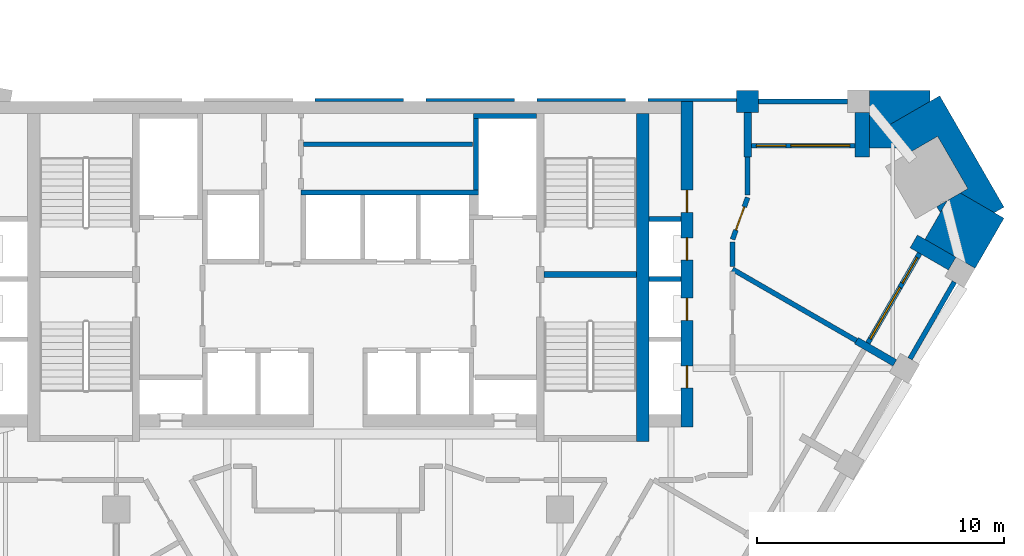
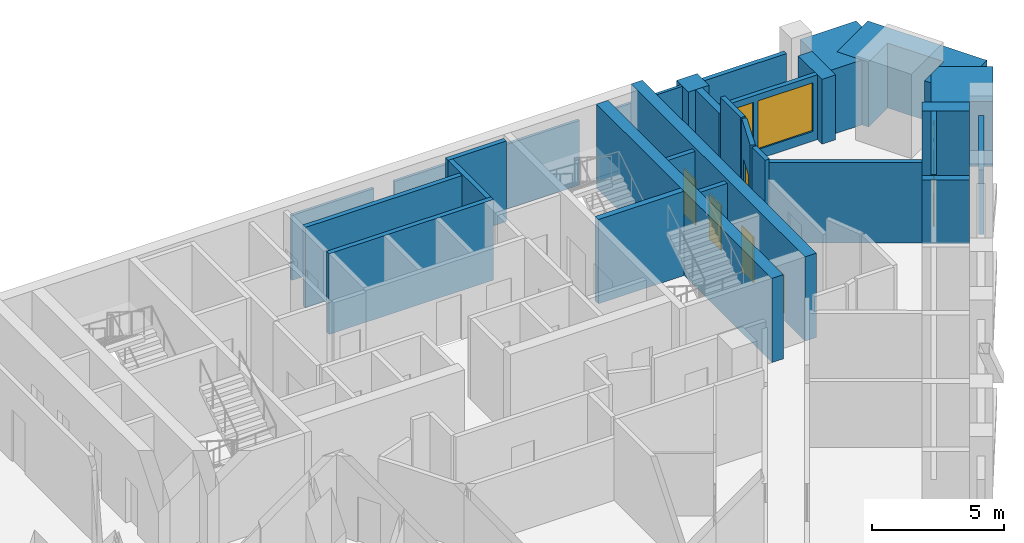
# One storey, part 7 of 9: 30 walls, 7 doors, 2 windows, 9 openings.
"""IFC4 building model written with IfcOpenShell, lengths in metres."""

import ifcopenshell
import ifcopenshell.guid

model = None  # the IFC model being written
_history = None  # IfcOwnerHistory: only IFC2X3 demands one
_inside = {}  # id of a spatial element -> (the spatial element, [elements in it])
_under = {}  # id of a project, library or spatial element -> (it, [spatial elements below it])
_declared = {}  # id of a project -> (the project, [libraries it declares])
_typed = {}  # id of a type object -> (the type object, [elements of that type])
_made_of = {}  # id of a material, layer set ... -> (it, [elements and type objects made of it])


def new_model(schema):
    """Start an empty IFC model of exactly this schema.

    Asked for "IFC4X3", IfcOpenShell would pick the latest addendum, in which some entities
    have other attributes; the version numbers below select the first issue.
    IFC2X3 requires an IfcOwnerHistory on every rooted entity: one is made here for all.
    """
    global model, _history
    if schema == "IFC4X3":
        model = ifcopenshell.file(schema_version=(4, 3, 0, 0))
    else:
        model = ifcopenshell.file(schema=schema)
    _inside.clear()
    _under.clear()
    _declared.clear()
    _typed.clear()
    _made_of.clear()
    _history = None
    if model.schema == "IFC2X3":
        org = make("IfcOrganization", Name="unknown")
        user = make(
            "IfcPersonAndOrganization",
            ThePerson=make("IfcPerson", FamilyName="unknown"),
            TheOrganization=org,
        )
        app = make(
            "IfcApplication",
            ApplicationDeveloper=org,
            Version="unknown",
            ApplicationFullName="unknown",
            ApplicationIdentifier="unknown",
        )
        _history = make(
            "IfcOwnerHistory",
            OwningUser=user,
            OwningApplication=app,
            ChangeAction="ADDED",
            CreationDate=0,
        )
    return model


def make(cls, **values):
    """One entity of the class cls with the attributes given. An attribute that is None is left unset."""
    return model.create_entity(
        cls, **{name: value for name, value in values.items() if value is not None}
    )


def rooted(cls, **values):
    """An entity with a GlobalId (a new one), such as an element, a storey or a relation."""
    return make(cls, GlobalId=ifcopenshell.guid.new(), OwnerHistory=_history, **values)


def si_unit(unit_type, name, prefix=None):
    """IfcSIUnit, for example si_unit("LENGTHUNIT", "METRE", prefix="MILLI")."""
    return make("IfcSIUnit", UnitType=unit_type, Prefix=prefix, Name=name)


def assignment(units):
    """IfcUnitAssignment: the units of a project."""
    return None if units is None else make("IfcUnitAssignment", Units=units)


def point(xyz):
    """IfcCartesianPoint."""
    return None if xyz is None else make("IfcCartesianPoint", Coordinates=xyz)


def direction(xyz):
    """IfcDirection."""
    return None if xyz is None else make("IfcDirection", DirectionRatios=xyz)


def frame(location, z_axis=None, x_axis=None):
    """IfcAxis2Placement3D, a coordinate frame: its origin and axes. An axis left out is left unset."""
    return make(
        "IfcAxis2Placement3D",
        Location=point(location),
        Axis=direction(z_axis),
        RefDirection=direction(x_axis),
    )


def frame_2d(location, x_axis=None):
    """IfcAxis2Placement2D, a coordinate frame in the plane: its origin and x axis."""
    return make(
        "IfcAxis2Placement2D", Location=point(location), RefDirection=direction(x_axis)
    )


def origin():
    """The frame at (0, 0, 0) with its axes left unset."""
    return frame((0.0, 0.0, 0.0))


def place(relative_to, where):
    """IfcLocalPlacement: puts the frame where relative to a parent placement (None: the world)."""
    return make(
        "IfcLocalPlacement", PlacementRelTo=relative_to, RelativePlacement=where
    )


def context(
    kind, dimensions, precision=None, world=None, true_north=None, identifier=None
):
    """IfcGeometricRepresentationContext, for example the 3D "Model" context."""
    return make(
        "IfcGeometricRepresentationContext",
        ContextIdentifier=identifier,
        ContextType=kind,
        CoordinateSpaceDimension=dimensions,
        Precision=precision,
        WorldCoordinateSystem=world,
        TrueNorth=true_north,
    )


def subcontext(parent, identifier, kind, view, scale=None):
    """IfcGeometricRepresentationSubContext, for example "Body" below "Model"."""
    return make(
        "IfcGeometricRepresentationSubContext",
        ContextIdentifier=identifier,
        ContextType=kind,
        ParentContext=parent,
        TargetScale=scale,
        TargetView=view,
    )


def project(units=None, contexts=None):
    """IfcProject with its units and contexts."""
    return rooted(
        "IfcProject",
        Name="project",
        RepresentationContexts=contexts,
        UnitsInContext=assignment(units),
    )


def spatial(cls, under=None, at=None, **own):
    """A site, building, storey or space (cls), placed at a placement, below another one or the project."""
    s = rooted(cls, ObjectPlacement=at, **own)
    if under is not None:
        _under.setdefault(under.id(), (under, []))[1].append(s)
    return s


def polyline(points):
    """IfcPolyline through the points."""
    return make("IfcPolyline", Points=[point(p) for p in points])


def profile(cls, at=None, kind="AREA", **sizes):
    """A parametric profile (cls). Its sizes go by their IFC names, for example OverallWidth=200.0."""
    return make(cls, ProfileType=kind, Position=at, **sizes)


def rectangle(**sizes):
    """IfcRectangleProfileDef."""
    return profile("IfcRectangleProfileDef", **sizes)


def outline(outer, holes=None, kind="AREA"):
    """IfcArbitraryClosedProfileDef: a profile drawn as a closed curve; with holes, ...WithVoids."""
    if holes is None:
        return make("IfcArbitraryClosedProfileDef", ProfileType=kind, OuterCurve=outer)
    return make(
        "IfcArbitraryProfileDefWithVoids",
        ProfileType=kind,
        OuterCurve=outer,
        InnerCurves=holes,
    )


def extrude(swept, where, along, depth):
    """IfcExtrudedAreaSolid: the profile swept, set in the frame where, extruded along a direction by depth."""
    return make(
        "IfcExtrudedAreaSolid",
        SweptArea=swept,
        Position=where,
        ExtrudedDirection=direction(along),
        Depth=depth,
    )


def shape(context_of_items, identifier, shape_type, items):
    """IfcShapeRepresentation: the items that make up one representation, for example the "Body"."""
    return make(
        "IfcShapeRepresentation",
        ContextOfItems=context_of_items,
        RepresentationIdentifier=identifier,
        RepresentationType=shape_type,
        Items=items,
    )


def material(Name=None, Category=None):
    """IfcMaterial."""
    return make("IfcMaterial", Name=Name, Category=Category)


def layer(
    of_material, thickness, ventilated=None, Name=None, Category=None, Priority=None
):
    """IfcMaterialLayer: one layer of a wall or slab, of a material (None: an air gap)."""
    return make(
        "IfcMaterialLayer",
        Material=of_material,
        LayerThickness=thickness,
        IsVentilated=ventilated,
        Name=Name,
        Category=Category,
        Priority=Priority,
    )


def layer_set(layers, Name=None):
    """IfcMaterialLayerSet."""
    return make("IfcMaterialLayerSet", MaterialLayers=layers, LayerSetName=Name)


def made_of(thing, what):
    """Note that an element or type object is made of a material, layer set ...; save() writes the relation."""
    if what is not None:
        _made_of.setdefault(what.id(), (what, []))[1].append(thing)
    return thing


def type_object(cls, material=None, **own):
    """A type object (cls), such as IfcWallType, which elements share."""
    return made_of(rooted(cls, **own), material)


def element(
    cls,
    number,
    at=None,
    inside=None,
    cuts=None,
    type_object=None,
    material=None,
    context=None,
    identifier="Body",
    shape_type=None,
    held_by="IfcProductDefinitionShape",
    body=None,
    shapes=None,
    **own,
):
    """One element of the class cls, such as IfcWall. Its Tag is "e" and its number.

    at: its placement. inside: the storey or other place that contains it. cuts: it is an
    opening in that element (IfcRelVoidsElement). A single representation is given by context,
    identifier, shape_type and body (its items); several are given by shapes. held_by: the class
    of the entity that holds the representations. save() writes the other relations.
    """
    e = rooted(cls, Tag="e%d" % number, ObjectPlacement=at, **own)
    if body is not None:
        shapes = [shape(context, identifier, shape_type, body)]
    if shapes is not None:
        e.Representation = make(held_by, Representations=shapes)
    if inside is not None:
        _inside.setdefault(inside.id(), (inside, []))[1].append(e)
    if cuts is not None:
        rooted(
            "IfcRelVoidsElement", RelatingBuildingElement=cuts, RelatedOpeningElement=e
        )
    if type_object is not None:
        _typed.setdefault(type_object.id(), (type_object, []))[1].append(e)
    return made_of(e, material)


def fill(opening, filler):
    """IfcRelFillsElement: the door or window that sits in an opening."""
    return rooted(
        "IfcRelFillsElement",
        RelatingOpeningElement=opening,
        RelatedBuildingElement=filler,
    )


def aggregate(whole, parts):
    """IfcRelAggregates: a whole, such as a stair, and the parts it consists of."""
    return rooted("IfcRelAggregates", RelatingObject=whole, RelatedObjects=parts)


def save(model, path):
    """Write the relations noted so far, then the file.

    IfcRelAggregates (storeys below a building ...), IfcRelContainedInSpatialStructure (elements
    in a storey), IfcRelDefinesByType, IfcRelAssociatesMaterial and IfcRelDeclares: one each for
    every whole, place, type object, material and project.
    """
    for whole, parts in _under.values():
        aggregate(whole, parts)
    for where, things in _inside.values():
        rooted(
            "IfcRelContainedInSpatialStructure",
            RelatedElements=things,
            RelatingStructure=where,
        )
    for kind, things in _typed.values():
        rooted("IfcRelDefinesByType", RelatedObjects=things, RelatingType=kind)
    for what, things in _made_of.values():
        rooted("IfcRelAssociatesMaterial", RelatedObjects=things, RelatingMaterial=what)
    for by, libraries in _declared.values():
        rooted("IfcRelDeclares", RelatingContext=by, RelatedDefinitions=libraries)
    model.write(path)


model = new_model("IFC4")

# Units and contexts
model_context = context("Model", 3, precision=1e-05, world=origin(), true_north=direction((0.0, 1.0)))
body_context = subcontext(model_context, "Body", "Model", "MODEL_VIEW")
ifc_project = project(units=[si_unit("LENGTHUNIT", "METRE"), si_unit("AREAUNIT", "SQUARE_METRE"), si_unit("VOLUMEUNIT", "CUBIC_METRE"), si_unit("PLANEANGLEUNIT", "RADIAN"), si_unit("MASSUNIT", "GRAM", prefix="KILO")], contexts=[model_context])

# Site, building, storey
site_placement = place(None, origin())
site = spatial("IfcSite", under=ifc_project, at=site_placement, CompositionType="ELEMENT")
building_placement = place(site_placement, origin())
building = spatial("IfcBuilding", under=site, at=building_placement, Name="Calabash Gate Tower", CompositionType="ELEMENT")
storey_placement = place(building_placement, frame((0.0, 0.0, 212.0)))
storey = spatial("IfcBuildingStorey", under=building, at=storey_placement, Name="L50", CompositionType="ELEMENT", Elevation=212.0)

# Walls
ifc_material_1 = material(Name="Terracotta brick masonry, exposed face", Category="masonry")
ifc_layer_1 = layer(ifc_material_1, 2.35009765625)
ifc_layer_set_1 = layer_set([ifc_layer_1], Name="Brick corner mass wall 2350")
wall_type_1 = type_object("IfcWallType", Name="Brick corner mass wall 2350", PredefinedType="SOLIDWALL", material=ifc_layer_set_1)
wall_1_placement = place(storey_placement, origin())
element("IfcWall", 1, at=wall_1_placement, inside=storey, type_object=wall_type_1, Name="Brick corner pier S14 3a", PredefinedType="SOLIDWALL", context=body_context, shape_type="SweptSolid", body=[
    extrude(outline(polyline([(23.80224609375, 13.456298828125), (25.05810546875, 12.731201171875), (25.058349609375, 12.731689453125), (25.837646484375, 12.28173828125), (27.009521484375, 14.311767578125), (25.237548828125, 15.334716796875), (24.711181640625, 15.03076171875), (23.80224609375, 13.456298828125)])), origin(), (0.0, 0.0, 1.0), 3.0),
])
wall_2_placement = place(storey_placement, origin())
element("IfcWall", 2, at=wall_2_placement, inside=storey, type_object=wall_type_1, Name="Brick corner pier S14 3ba", PredefinedType="SOLIDWALL", context=body_context, shape_type="SweptSolid", body=[
    extrude(outline(polyline([(24.426025390625, 14.53662109375), (24.711181640625, 15.03076171875), (24.283203125, 14.78369140625), (24.426025390625, 14.53662109375)])), origin(), (0.0, 0.0, 1.0), 3.0),
])
wall_3_placement = place(storey_placement, origin())
element("IfcWall", 3, at=wall_3_placement, inside=storey, type_object=wall_type_1, Name="Brick corner pier S14 3bb", PredefinedType="SOLIDWALL", context=body_context, shape_type="SweptSolid", body=[
    extrude(outline(polyline([(24.3173828125, 17.63232421875), (25.54248046875, 15.510498046875), (25.237548828125, 15.334716796875), (26.619873046875, 14.53662109375), (27.009521484375, 14.76171875), (24.40234375, 19.277587890625), (22.3671875, 18.1025390625), (23.058349609375, 16.905517578125), (24.3173828125, 17.63232421875)])), origin(), (0.0, 0.0, 1.0), 3.0),
])
wall_4_placement = place(storey_placement, origin())
element("IfcWall", 4, at=wall_4_placement, inside=storey, type_object=wall_type_1, Name="Brick corner pier S14 3c", PredefinedType="SOLIDWALL", context=body_context, shape_type="SweptSolid", body=[
    extrude(outline(polyline([(21.560791015625, 18.60302734375), (21.560791015625, 17.152587890625), (22.91552734375, 17.152587890625), (22.3671875, 18.1025390625), (24.0126953125, 19.052490234375), (24.0126953125, 19.50244140625), (21.56103515625, 19.50244140625), (21.56103515625, 18.60302734375), (21.560791015625, 18.60302734375)])), origin(), (0.0, 0.0, 1.0), 3.0),
])
ifc_material_2 = material(Name="Terracotta brick masonry, exposed face", Category="masonry")
ifc_layer_2 = layer(ifc_material_2, 0.89990234375)
ifc_layer_set_2 = layer_set([ifc_layer_2], Name="Brick end wall 900")
wall_type_2 = type_object("IfcWallType", Name="Brick end wall 900", PredefinedType="SOLIDWALL", material=ifc_layer_set_2)
wall_5_placement = place(storey_placement, origin())
element("IfcWall", 5, at=wall_5_placement, inside=storey, type_object=wall_type_2, Name="Brick pier S14 N4.1", PredefinedType="SOLIDWALL", context=body_context, shape_type="SweptSolid", body=[
    extrude(outline(polyline([(17.060791015625, 19.50244140625), (16.160888671875, 19.50244140625), (16.160888671875, 18.6025390625), (17.060791015625, 18.6025390625), (17.060791015625, 19.50244140625)])), origin(), (0.0, 0.0, 1.0), 3.0),
])
ifc_material_3 = material(Name="Terracotta brick masonry, exposed face", Category="masonry")
ifc_layer_3 = layer(ifc_material_3, 0.300048828125)
ifc_layer_set_3 = layer_set([ifc_layer_3], Name="Brick loggia cheek wall 300")
wall_type_3 = type_object("IfcWallType", Name="Brick loggia cheek wall 300", PredefinedType="SOLIDWALL", material=ifc_layer_set_3)
wall_6_placement = place(storey_placement, frame((21.02392578125, 9.344482421875, 0.0), z_axis=(0.0, 0.0, 1.0), x_axis=(0.865989075817, -0.500062916607, 0.0)))
element("IfcWall", 6, at=wall_6_placement, inside=storey, type_object=wall_type_3, Name="Loggia cheek S14 SE2.8", PredefinedType="SOLIDWALL", context=body_context, shape_type="SweptSolid", body=[
    extrude(rectangle(XDim=1.800048828125, YDim=0.300048828125, at=frame_2d((0.89990234375, 0.0))), origin(), (0.0, 0.0, 1.0), 2.9501953125),
])
wall_7_placement = place(storey_placement, frame((24.907958984375, 12.471435546875, 0.0), z_axis=(0.0, 0.0, 1.0), x_axis=(-0.866047807691, 0.499961193289, 0.0)))
element("IfcWall", 7, at=wall_7_placement, inside=storey, type_object=wall_type_3, Name="Loggia cheek S14 SE2.9", PredefinedType="SOLIDWALL", context=body_context, shape_type="SweptSolid", body=[
    extrude(rectangle(XDim=1.800048828125, YDim=0.60009765625, at=frame_2d((0.89990234375, 0.0))), origin(), (0.0, 0.0, 1.0), 3.0),
])
wall_8_placement = place(storey_placement, origin())
element("IfcWall", 8, at=wall_8_placement, inside=storey, type_object=wall_type_3, Name="Loggia cheek S14 N4.0", PredefinedType="SOLIDWALL", context=body_context, shape_type="SweptSolid", body=[
    extrude(outline(polyline([(21.560791015625, 16.802490234375), (21.560791015625, 18.6025390625), (20.9609375, 18.6025390625), (20.9609375, 16.802490234375), (21.560791015625, 16.802490234375)])), origin(), (0.0, 0.0, 1.0), 3.0),
])
wall_9_placement = place(storey_placement, origin())
element("IfcWall", 9, at=wall_9_placement, inside=storey, type_object=wall_type_3, Name="Loggia cheek S14 N4.1", PredefinedType="SOLIDWALL", context=body_context, shape_type="SweptSolid", body=[
    extrude(outline(polyline([(16.4609375, 18.6025390625), (16.4609375, 16.802490234375), (16.7607421875, 16.802490234375), (16.7607421875, 18.6025390625), (16.4609375, 18.6025390625)])), origin(), (0.0, 0.0, 1.0), 3.0),
])
ifc_material_4 = material(Name="Concrete C70/85", Category="concrete")
ifc_layer_4 = layer(ifc_material_4, 0.25)
ifc_layer_set_4 = layer_set([ifc_layer_4], Name="Core wall 250 Concrete C70/85")
wall_type_4 = type_object("IfcWallType", Name="Core wall 250 Concrete C70/85", PredefinedType="SHEAR", material=ifc_layer_set_4)
wall_10_placement = place(storey_placement, frame((8.35009765625, 12.027587890625, 0.0), z_axis=(0.0, 0.0, 1.0), x_axis=(1.0, 0.0, 0.0)))
element("IfcWall", 10, at=wall_10_placement, inside=storey, type_object=wall_type_4, Name="Core wall Z4-MIDE L50", PredefinedType="SHEAR", context=body_context, shape_type="SweptSolid", body=[
    extrude(rectangle(XDim=3.75, YDim=0.25, at=frame_2d((1.875, 0.0))), origin(), (0.0, 0.0, 1.0), 3.89990234375),
])
ifc_material_5 = material(Name="Concrete C70/85", Category="concrete")
ifc_layer_5 = layer(ifc_material_5, 0.5)
ifc_layer_set_5 = layer_set([ifc_layer_5], Name="Core wall 500 Concrete C70/85")
wall_type_5 = type_object("IfcWallType", Name="Core wall 500 Concrete C70/85", PredefinedType="SHEAR", material=ifc_layer_set_5)
wall_11_placement = place(storey_placement, frame((12.35009765625, 5.252685546875, 0.0), z_axis=(0.0, 0.0, 1.0), x_axis=(0.0, 1.0, 0.0)))
element("IfcWall", 11, at=wall_11_placement, inside=storey, type_object=wall_type_5, Name="Core wall Z4-COLE L50", PredefinedType="SHEAR", context=body_context, shape_type="SweptSolid", body=[
    extrude(rectangle(XDim=13.2998046875, YDim=0.5, at=frame_2d((6.64990234375, 0.0))), origin(), (0.0, 0.0, 1.0), 3.89990234375),
])

# Wall, openings, doors
wall_12_placement = place(storey_placement, frame((14.14990234375, 5.8525390625, 0.0), z_axis=(0.0, 0.0, 1.0), x_axis=(0.0, 1.0, 0.0)))
wall_12 = element("IfcWall", 12, at=wall_12_placement, inside=storey, type_object=wall_type_5, Name="Core wall Z4-ENDE L50", PredefinedType="SHEAR", context=body_context, shape_type="SweptSolid", body=[
    extrude(rectangle(XDim=13.199951171875, YDim=0.5, at=frame_2d((6.60009765625, 0.0))), origin(), (0.0, 0.0, 1.0), 3.89990234375),
])
opening_1_placement = place(wall_12_placement, frame((1.574951171875, 0.0, 0.0)))
opening_1 = element("IfcOpeningElement", 13, at=opening_1_placement, cuts=wall_12, Name="Opening O6-001", PredefinedType="OPENING", context=body_context, shape_type="SweptSolid", body=[
    extrude(rectangle(XDim=0.89990234375, YDim=2.10009765625, at=frame_2d((0.449951171875, 1.050048828125))), frame((0.0, 0.260009765625, 0.0), z_axis=(0.0, -1.0, 0.0), x_axis=(1.0, 0.0, 0.0)), (0.0, 0.0, 1.0), 0.52001953125),
])
opening_2_placement = place(wall_12_placement, frame((4.320068359375, 0.0, 0.0)))
opening_2 = element("IfcOpeningElement", 14, at=opening_2_placement, cuts=wall_12, Name="Opening O6-002", PredefinedType="OPENING", context=body_context, shape_type="SweptSolid", body=[
    extrude(rectangle(XDim=0.89990234375, YDim=2.10009765625, at=frame_2d((0.449951171875, 1.050048828125))), frame((0.0, 0.260009765625, 0.0), z_axis=(0.0, -1.0, 0.0), x_axis=(1.0, 0.0, 0.0)), (0.0, 0.0, 1.0), 0.52001953125),
])
opening_3_placement = place(wall_12_placement, frame((6.760009765625, 0.0, 0.0)))
opening_3 = element("IfcOpeningElement", 15, at=opening_3_placement, cuts=wall_12, Name="Opening O6-003", PredefinedType="OPENING", context=body_context, shape_type="SweptSolid", body=[
    extrude(rectangle(XDim=0.89990234375, YDim=2.10009765625, at=frame_2d((0.449951171875, 1.050048828125))), frame((0.0, 0.260009765625, 0.0), z_axis=(0.0, -1.0, 0.0), x_axis=(1.0, 0.0, 0.0)), (0.0, 0.0, 1.0), 0.52001953125),
])
opening_4_placement = place(wall_12_placement, frame((8.697509765625, 0.0, 0.0)))
opening_4 = element("IfcOpeningElement", 16, at=opening_4_placement, cuts=wall_12, Name="Opening O6-004", PredefinedType="OPENING", context=body_context, shape_type="SweptSolid", body=[
    extrude(rectangle(XDim=0.89990234375, YDim=2.10009765625, at=frame_2d((0.449951171875, 1.050048828125))), frame((0.0, 0.260009765625, 0.0), z_axis=(0.0, -1.0, 0.0), x_axis=(1.0, 0.0, 0.0)), (0.0, 0.0, 1.0), 0.52001953125),
])
ifc_material_6 = material(Name="Steel fire door set with fire-resisting glazing", Category="steel")
door_type_1 = type_object("IfcDoorType", Name="Fire door D06 900x2100 FD60", OperationType="NOTDEFINED", PredefinedType="DOOR", material=ifc_material_6)
door_1_placement = place(opening_1_placement, origin())
door_1 = element("IfcDoor", 17, at=door_1_placement, inside=storey, type_object=door_type_1, Name="Duct Riser door", OperationType="SINGLE_SWING_LEFT", OverallHeight=2.10009765625, OverallWidth=0.89990234375, PredefinedType="DOOR", context=body_context, shape_type="SweptSolid", body=[
    extrude(rectangle(XDim=0.89990234375, YDim=2.10009765625, at=frame_2d((0.449951171875, 1.050048828125))), frame((0.0, 0.02490234375, 0.0), z_axis=(0.0, -1.0, 0.0), x_axis=(1.0, 0.0, 0.0)), (0.0, 0.0, 1.0), 0.050048828125),
])
fill(opening_1, door_1)
door_2_placement = place(opening_2_placement, origin())
door_2 = element("IfcDoor", 18, at=door_2_placement, inside=storey, type_object=door_type_1, Name="Electrical Riser door", OperationType="SINGLE_SWING_RIGHT", OverallHeight=2.10009765625, OverallWidth=0.89990234375, PredefinedType="DOOR", context=body_context, shape_type="SweptSolid", body=[
    extrude(rectangle(XDim=0.89990234375, YDim=2.10009765625, at=frame_2d((0.449951171875, 1.050048828125))), frame((0.0, 0.02490234375, 0.0), z_axis=(0.0, -1.0, 0.0), x_axis=(1.0, 0.0, 0.0)), (0.0, 0.0, 1.0), 0.050048828125),
])
fill(opening_2, door_2)
door_3_placement = place(opening_3_placement, origin())
door_3 = element("IfcDoor", 19, at=door_3_placement, inside=storey, type_object=door_type_1, Name="Comms Riser door", OperationType="SINGLE_SWING_LEFT", OverallHeight=2.10009765625, OverallWidth=0.89990234375, PredefinedType="DOOR", context=body_context, shape_type="SweptSolid", body=[
    extrude(rectangle(XDim=0.89990234375, YDim=2.10009765625, at=frame_2d((0.449951171875, 1.050048828125))), frame((0.0, 0.02490234375, 0.0), z_axis=(0.0, -1.0, 0.0), x_axis=(1.0, 0.0, 0.0)), (0.0, 0.0, 1.0), 0.050048828125),
])
fill(opening_3, door_3)
door_4_placement = place(opening_4_placement, origin())
door_4 = element("IfcDoor", 20, at=door_4_placement, inside=storey, type_object=door_type_1, Name="Cleaner's Store door", OperationType="SINGLE_SWING_LEFT", OverallHeight=2.10009765625, OverallWidth=0.89990234375, PredefinedType="DOOR", context=body_context, shape_type="SweptSolid", body=[
    extrude(rectangle(XDim=0.89990234375, YDim=2.10009765625, at=frame_2d((0.449951171875, 1.050048828125))), frame((0.0, 0.02490234375, 0.0), z_axis=(0.0, -1.0, 0.0), x_axis=(1.0, 0.0, 0.0)), (0.0, 0.0, 1.0), 0.050048828125),
])
fill(opening_4, door_4)

# Walls
ifc_material_7 = material(Name="Gypsum board on steel studs, mineral wool", Category="steel")
ifc_layer_6 = layer(ifc_material_7, 0.199951171875)
ifc_layer_set_6 = layer_set([ifc_layer_6], Name="Partition 200 gypsum board EI 60")
wall_type_6 = type_object("IfcWallType", Name="Partition 200 gypsum board EI 60", PredefinedType="PARTITIONING", material=ifc_layer_set_6)
wall_13_placement = place(storey_placement, frame((16.00048828125, 12.242431640625, 0.0), z_axis=(0.0, 0.0, 1.0), x_axis=(0.866181381022, -0.499729742132, 0.0)))
element("IfcWall", 21, at=wall_13_placement, inside=storey, type_object=wall_type_6, Name="Partition", PredefinedType="PARTITIONING", context=body_context, shape_type="SweptSolid", body=[
    extrude(rectangle(XDim=5.799560546875, YDim=0.199951171875, at=frame_2d((2.89990234375, 0.0))), origin(), (0.0, 0.0, 1.0), 3.72998046875),
])
wall_14_placement = place(storey_placement, frame((16.00048828125, 13.3525390625, 0.0), z_axis=(0.0, 0.0, 1.0), x_axis=(0.001452431293, -0.999998945221, 0.0)))
element("IfcWall", 22, at=wall_14_placement, inside=storey, type_object=wall_type_6, Name="Partition", PredefinedType="PARTITIONING", context=body_context, shape_type="SweptSolid", body=[
    extrude(rectangle(XDim=1.008544921875, YDim=0.199951171875, at=frame_2d((0.50439453125, 0.0))), origin(), (0.0, 0.0, 1.0), 3.72998046875),
])

# Wall, opening, door
wall_15_placement = place(storey_placement, frame((16.00048828125, 13.452392578125, 0.0), z_axis=(0.0, 0.0, 1.0), x_axis=(0.338159450366, 0.941088830094, 0.0)))
wall_15 = element("IfcWall", 23, at=wall_15_placement, inside=storey, type_object=wall_type_6, Name="Partition", PredefinedType="PARTITIONING", context=body_context, shape_type="SweptSolid", body=[
    extrude(rectangle(XDim=1.806396484375, YDim=0.199951171875, at=frame_2d((0.9033203125, 0.0))), origin(), (0.0, 0.0, 1.0), 3.72998046875),
])
opening_5_placement = place(wall_15_placement, frame((0.403076171875, 0.0, 0.0)))
opening_5 = element("IfcOpeningElement", 24, at=opening_5_placement, cuts=wall_15, Name="Opening 49-51-013", PredefinedType="OPENING", context=body_context, shape_type="SweptSolid", body=[
    extrude(rectangle(XDim=1.0, YDim=2.10009765625, at=frame_2d((0.5, 1.050048828125))), frame((0.0, 0.10986328125, 0.0), z_axis=(0.0, -1.0, 0.0), x_axis=(1.0, 0.0, 0.0)), (0.0, 0.0, 1.0), 0.219970703125),
])
ifc_material_8 = material(Name="Steel fire door set with fire-resisting glazing", Category="steel")
door_type_2 = type_object("IfcDoorType", Name="LD2 Meeting room door 1000x2100", OperationType="NOTDEFINED", PredefinedType="DOOR", material=ifc_material_8)
door_5_placement = place(opening_5_placement, origin())
door_5 = element("IfcDoor", 25, at=door_5_placement, inside=storey, type_object=door_type_2, Name="Meeting room door", OperationType="SINGLE_SWING_LEFT", OverallHeight=2.10009765625, OverallWidth=1.0, PredefinedType="DOOR", context=body_context, shape_type="SweptSolid", body=[
    extrude(rectangle(XDim=1.0, YDim=2.10009765625, at=frame_2d((0.5, 1.050048828125))), frame((0.0, 0.02490234375, 0.0), z_axis=(0.0, -1.0, 0.0), x_axis=(1.0, 0.0, 0.0)), (0.0, 0.0, 1.0), 0.050048828125),
])
fill(opening_5, door_5)

# Walls
wall_16_placement = place(storey_placement, frame((16.611328125, 15.25244140625, 0.0), z_axis=(0.0, 0.0, 1.0), x_axis=(0.0, 1.0, 0.0)))
element("IfcWall", 26, at=wall_16_placement, inside=storey, type_object=wall_type_6, Name="Partition", PredefinedType="PARTITIONING", context=body_context, shape_type="SweptSolid", body=[
    extrude(rectangle(XDim=1.550048828125, YDim=0.199951171875, at=frame_2d((0.77490234375, 0.0))), origin(), (0.0, 0.0, 1.0), 3.72998046875),
])
ifc_material_9 = material(Name="Concrete C40/50", Category="concrete")
ifc_layer_7 = layer(ifc_material_9, 0.199951171875)
ifc_layer_set_7 = layer_set([ifc_layer_7], Name="Shaft wall 200 Concrete C40/50")
wall_type_7 = type_object("IfcWallType", Name="Shaft wall 200 Concrete C40/50", PredefinedType="SOLIDWALL", material=ifc_layer_set_7)
for number, where, z_axis, x_axis, name in (
    (27, (12.60009765625, 11.842529296875, 0.0), (0.0, 0.0, 1.0), (1.0, 0.0, 0.0), "Shaft wall"),
    (28, (12.60009765625, 14.28271484375, 0.0), (0.0, 0.0, 1.0), (1.0, 0.0, 0.0), "Shaft wall"),
):
    element("IfcWall", number, at=place(storey_placement, frame(where, z_axis=z_axis, x_axis=x_axis)), inside=storey, type_object=wall_type_7, Name=name, PredefinedType="SOLIDWALL", context=body_context, shape_type="SweptSolid", body=[
        extrude(rectangle(XDim=1.2998046875, YDim=0.199951171875, at=frame_2d((0.64990234375, 0.0))), origin(), (0.0, 0.0, 1.0), 3.72998046875),
    ])
wall_17_placement = place(storey_placement, frame((-1.5, 15.3525390625, 0.0), z_axis=(0.0, 0.0, 1.0), x_axis=(1.0, 0.0, 0.0)))
element("IfcWall", 29, at=wall_17_placement, inside=storey, type_object=wall_type_7, Name="Shaft wall", PredefinedType="SOLIDWALL", context=body_context, shape_type="SweptSolid", body=[
    extrude(rectangle(XDim=7.199951171875, YDim=0.199951171875, at=frame_2d((3.60009765625, 0.0))), origin(), (0.0, 0.0, 1.0), 3.72998046875),
])
wall_18_placement = place(storey_placement, frame((5.60009765625, 15.45263671875, 0.0), z_axis=(0.0, 0.0, 1.0), x_axis=(0.0, 1.0, 0.0)))
element("IfcWall", 30, at=wall_18_placement, inside=storey, type_object=wall_type_7, Name="Shaft wall", PredefinedType="SOLIDWALL", context=body_context, shape_type="SweptSolid", body=[
    extrude(rectangle(XDim=2.89990234375, YDim=0.199951171875, at=frame_2d((1.449951171875, 0.0))), origin(), (0.0, 0.0, 1.0), 3.72998046875),
])
wall_19_placement = place(storey_placement, frame((-1.39990234375, 17.3125, 0.0), z_axis=(0.0, 0.0, 1.0), x_axis=(1.0, 0.0, 0.0)))
element("IfcWall", 31, at=wall_19_placement, inside=storey, type_object=wall_type_7, Name="Shaft wall", PredefinedType="SOLIDWALL", context=body_context, shape_type="SweptSolid", body=[
    extrude(rectangle(XDim=6.849853515625, YDim=0.199951171875, at=frame_2d((3.4248046875, 0.0))), origin(), (0.0, 0.0, 1.0), 3.72998046875),
])
wall_20_placement = place(storey_placement, frame((5.5, 18.45263671875, 0.0), z_axis=(0.0, 0.0, 1.0), x_axis=(1.0, 0.0, 0.0)))
element("IfcWall", 32, at=wall_20_placement, inside=storey, type_object=wall_type_7, Name="Shaft wall", PredefinedType="SOLIDWALL", context=body_context, shape_type="SweptSolid", body=[
    extrude(rectangle(XDim=2.550048828125, YDim=0.199951171875, at=frame_2d((1.27490234375, 0.0))), origin(), (0.0, 0.0, 1.0), 3.72998046875),
])
ifc_material_10 = material(Name="Terracotta brick masonry, perforated", Category="masonry")
ifc_layer_8 = layer(ifc_material_10, 0.1201171875)
ifc_layer_set_8 = layer_set([ifc_layer_8], Name="Terracotta jaali cladding B 120")
wall_type_8 = type_object("IfcWallType", Name="Terracotta jaali cladding B 120", PredefinedType="SOLIDWALL", material=ifc_layer_set_8)
wall_21_placement = place(storey_placement, origin())
element("IfcWall", 33, at=wall_21_placement, inside=storey, type_object=wall_type_8, Name="Jaali cladding S14 N4.3", PredefinedType="SOLIDWALL", context=body_context, shape_type="SweptSolid", body=[
    extrude(outline(polyline([(8.060791015625, 19.172607421875), (8.060791015625, 19.052490234375), (11.660888671875, 19.052490234375), (11.660888671875, 19.172607421875), (8.060791015625, 19.172607421875)])), origin(), (0.0, 0.0, 1.0), 3.0),
])
wall_22_placement = place(storey_placement, origin())
element("IfcWall", 34, at=wall_22_placement, inside=storey, type_object=wall_type_8, Name="Jaali cladding S14 N4.5", PredefinedType="SOLIDWALL", context=body_context, shape_type="SweptSolid", body=[
    extrude(outline(polyline([(-0.939208984375, 19.172607421875), (-0.939208984375, 19.052490234375), (2.660888671875, 19.052490234375), (2.660888671875, 19.172607421875), (-0.939208984375, 19.172607421875)])), origin(), (0.0, 0.0, 1.0), 3.0),
])
ifc_material_11 = material(Name="Terracotta brick masonry, perforated", Category="masonry")
ifc_layer_9 = layer(ifc_material_11, 0.199951171875)
ifc_layer_set_9 = layer_set([ifc_layer_9], Name="Terracotta jaali screen B")
wall_type_9 = type_object("IfcWallType", Name="Terracotta jaali screen B", PredefinedType="SOLIDWALL", material=ifc_layer_set_9)
for number, where, z_axis, x_axis, name in (
    (35, (23.197509765625, 8.609130859375, 0.0), (0.0, 0.0, 1.0), (0.500012057535, 0.866018442252, 0.0), "SCREEN B S14 SE2.9"),
    (36, (20.660888671875, 19.052490234375, 0.0), (0.0, 0.0, 1.0), (-1.0, 0.0, 0.0), "SCREEN B S14 N4.1"),
):
    element("IfcWall", number, at=place(storey_placement, frame(where, z_axis=z_axis, x_axis=x_axis)), inside=storey, type_object=wall_type_9, Name=name, PredefinedType="SOLIDWALL", context=body_context, shape_type="SweptSolid", body=[
        extrude(rectangle(XDim=3.60009765625, YDim=0.199951171875, at=frame_2d((1.800048828125, 0.0))), origin(), (0.0, 0.0, 1.0), 3.0),
    ])
ifc_material_12 = material(Name="Terracotta louvre blades in an aluminium frame", Category="masonry")
ifc_layer_10 = layer(ifc_material_12, 0.1201171875)
ifc_layer_set_10 = layer_set([ifc_layer_10], Name="Terracotta vent louvre cladding 120")
wall_type_10 = type_object("IfcWallType", Name="Terracotta vent louvre cladding 120", PredefinedType="ELEMENTEDWALL", material=ifc_layer_set_10)
wall_23_placement = place(storey_placement, origin())
element("IfcWall", 37, at=wall_23_placement, inside=storey, type_object=wall_type_10, Name="Vent louvre cladding S14 N4.2", PredefinedType="ELEMENTEDWALL", context=body_context, shape_type="SweptSolid", body=[
    extrude(outline(polyline([(12.560791015625, 19.172607421875), (12.560791015625, 19.052490234375), (16.160400390625, 19.052490234375), (16.160400390625, 19.172607421875), (12.560791015625, 19.172607421875)])), origin(), (0.0, 0.0, 1.0), 3.0),
])
wall_24_placement = place(storey_placement, origin())
element("IfcWall", 38, at=wall_24_placement, inside=storey, type_object=wall_type_10, Name="Vent louvre cladding S14 N4.4", PredefinedType="ELEMENTEDWALL", context=body_context, shape_type="SweptSolid", body=[
    extrude(outline(polyline([(3.560791015625, 19.172607421875), (3.560791015625, 19.052490234375), (7.160888671875, 19.052490234375), (7.160888671875, 19.172607421875), (3.560791015625, 19.172607421875)])), origin(), (0.0, 0.0, 1.0), 3.0),
])

# Wall, openings, door, window
ifc_material_13 = material(Name="Aluminium framed window wall with insulated spandrel", Category="aluminium")
ifc_layer_11 = layer(ifc_material_13, 0.199951171875)
ifc_layer_set_11 = layer_set([ifc_layer_11], Name="Window wall 200")
wall_type_11 = type_object("IfcWallType", Name="Window wall 200", PredefinedType="ELEMENTEDWALL", material=ifc_layer_set_11)
wall_25_placement = place(storey_placement, frame((21.48876953125, 9.249267578125, 0.0), z_axis=(0.0, 0.0, 1.0), x_axis=(0.500002543286, 0.866023935413, 0.0)))
wall_25 = element("IfcWall", 39, at=wall_25_placement, inside=storey, type_object=wall_type_11, Name="Window wall S14 SE2.9", PredefinedType="ELEMENTEDWALL", context=body_context, shape_type="SweptSolid", body=[
    extrude(rectangle(XDim=4.2001953125, YDim=0.199951171875, at=frame_2d((2.10009765625, 0.0))), origin(), (0.0, 0.0, 1.0), 3.0),
])
opening_6_placement = place(wall_25_placement, frame((0.199951171875, 0.0, 0.449951171875)))
opening_6 = element("IfcOpeningElement", 40, at=opening_6_placement, cuts=wall_25, Name="Opening OW1", PredefinedType="OPENING", context=body_context, shape_type="SweptSolid", body=[
    extrude(rectangle(XDim=2.39990234375, YDim=2.25, at=frame_2d((1.199951171875, 1.125))), frame((0.0, 0.10986328125, 0.0), z_axis=(0.0, -1.0, 0.0), x_axis=(1.0, 0.0, 0.0)), (0.0, 0.0, 1.0), 0.219970703125),
])
opening_7_placement = place(wall_25_placement, frame((2.800048828125, 0.0, 0.0)))
opening_7 = element("IfcOpeningElement", 41, at=opening_7_placement, cuts=wall_25, Name="Opening O6-024", PredefinedType="OPENING", context=body_context, shape_type="SweptSolid", body=[
    extrude(rectangle(XDim=1.199951171875, YDim=2.699951171875, at=frame_2d((0.60009765625, 1.35009765625))), frame((0.0, 0.10986328125, 0.0), z_axis=(0.0, -1.0, 0.0), x_axis=(1.0, 0.0, 0.0)), (0.0, 0.0, 1.0), 0.219970703125),
])
ifc_material_14 = material(Name="Anodised aluminium frame, bronze finish, impact-rated laminated clear glazing", Category="aluminium")
door_type_3 = type_object("IfcDoorType", Name="Loggia door DO1 1200x2700", OperationType="SLIDING_TO_LEFT", PredefinedType="DOOR", material=ifc_material_14)
door_6_placement = place(opening_7_placement, origin())
door_6 = element("IfcDoor", 42, at=door_6_placement, inside=storey, type_object=door_type_3, Name="Loggia door S14 SE2.9", OperationType="SINGLE_SWING_LEFT", OverallHeight=2.699951171875, OverallWidth=1.199951171875, PredefinedType="DOOR", context=body_context, shape_type="SweptSolid", body=[
    extrude(rectangle(XDim=1.199951171875, YDim=2.699951171875, at=frame_2d((0.60009765625, 1.35009765625))), frame((0.0, 0.02490234375, 0.0), z_axis=(0.0, -1.0, 0.0), x_axis=(1.0, 0.0, 0.0)), (0.0, 0.0, 1.0), 0.050048828125),
])
fill(opening_7, door_6)
ifc_material_15 = material(Name="Anodised aluminium frame, bronze finish, impact-rated laminated clear glazing", Category="aluminium")
window_type = type_object("IfcWindowType", Name="Window OW1 2400x2250", PartitioningType="DOUBLE_PANEL_VERTICAL", PredefinedType="WINDOW", material=ifc_material_15)
window_1_placement = place(opening_6_placement, origin())
window_1 = element("IfcWindow", 43, at=window_1_placement, inside=storey, type_object=window_type, Name="Window OW1 S14 SE2.9", OverallHeight=2.25, OverallWidth=2.39990234375, PartitioningType="SINGLE_PANEL", PredefinedType="WINDOW", context=body_context, shape_type="SweptSolid", body=[
    extrude(rectangle(XDim=2.39990234375, YDim=2.25, at=frame_2d((1.199951171875, 1.125))), frame((0.0, 0.030029296875, 0.0), z_axis=(0.0, -1.0, 0.0), x_axis=(1.0, 0.0, 0.0)), (0.0, 0.0, 1.0), 0.06005859375),
])
fill(opening_6, window_1)

wall_26_placement = place(storey_placement, frame((20.9609375, 17.25244140625, 0.0), z_axis=(0.0, 0.0, 1.0), x_axis=(-1.0, 0.0, 0.0)))
wall_26 = element("IfcWall", 44, at=wall_26_placement, inside=storey, type_object=wall_type_11, Name="Window wall S14 N4.1", PredefinedType="ELEMENTEDWALL", context=body_context, shape_type="SweptSolid", body=[
    extrude(rectangle(XDim=4.2001953125, YDim=0.199951171875, at=frame_2d((2.10009765625, 0.0))), origin(), (0.0, 0.0, 1.0), 3.0),
])
opening_8_placement = place(wall_26_placement, frame((0.199951171875, 0.0, 0.449951171875)))
opening_8 = element("IfcOpeningElement", 45, at=opening_8_placement, cuts=wall_26, Name="Opening OW1", PredefinedType="OPENING", context=body_context, shape_type="SweptSolid", body=[
    extrude(rectangle(XDim=2.39990234375, YDim=2.25, at=frame_2d((1.199951171875, 1.125))), frame((0.0, 0.10986328125, 0.0), z_axis=(0.0, -1.0, 0.0), x_axis=(1.0, 0.0, 0.0)), (0.0, 0.0, 1.0), 0.219970703125),
])
opening_9_placement = place(wall_26_placement, frame((2.800048828125, 0.0, 0.0)))
opening_9 = element("IfcOpeningElement", 46, at=opening_9_placement, cuts=wall_26, Name="Opening O6-021", PredefinedType="OPENING", context=body_context, shape_type="SweptSolid", body=[
    extrude(rectangle(XDim=1.199951171875, YDim=2.699951171875, at=frame_2d((0.60009765625, 1.35009765625))), frame((0.0, 0.10986328125, 0.0), z_axis=(0.0, -1.0, 0.0), x_axis=(1.0, 0.0, 0.0)), (0.0, 0.0, 1.0), 0.219970703125),
])
door_7_placement = place(opening_9_placement, origin())
door_7 = element("IfcDoor", 47, at=door_7_placement, inside=storey, type_object=door_type_3, Name="Loggia door S14 N4.1", OperationType="SINGLE_SWING_LEFT", OverallHeight=2.699951171875, OverallWidth=1.199951171875, PredefinedType="DOOR", context=body_context, shape_type="SweptSolid", body=[
    extrude(rectangle(XDim=1.199951171875, YDim=2.699951171875, at=frame_2d((0.60009765625, 1.35009765625))), frame((0.0, 0.02490234375, 0.0), z_axis=(0.0, -1.0, 0.0), x_axis=(1.0, 0.0, 0.0)), (0.0, 0.0, 1.0), 0.050048828125),
])
fill(opening_9, door_7)
window_2_placement = place(opening_8_placement, origin())
window_2 = element("IfcWindow", 48, at=window_2_placement, inside=storey, type_object=window_type, Name="Window OW1 S14 N4.1", OverallHeight=2.25, OverallWidth=2.39990234375, PartitioningType="SINGLE_PANEL", PredefinedType="WINDOW", context=body_context, shape_type="SweptSolid", body=[
    extrude(rectangle(XDim=2.39990234375, YDim=2.25, at=frame_2d((1.199951171875, 1.125))), frame((0.0, 0.030029296875, 0.0), z_axis=(0.0, -1.0, 0.0), x_axis=(1.0, 0.0, 0.0)), (0.0, 0.0, 1.0), 0.06005859375),
])
fill(opening_8, window_2)

save(model, "model.ifc")
